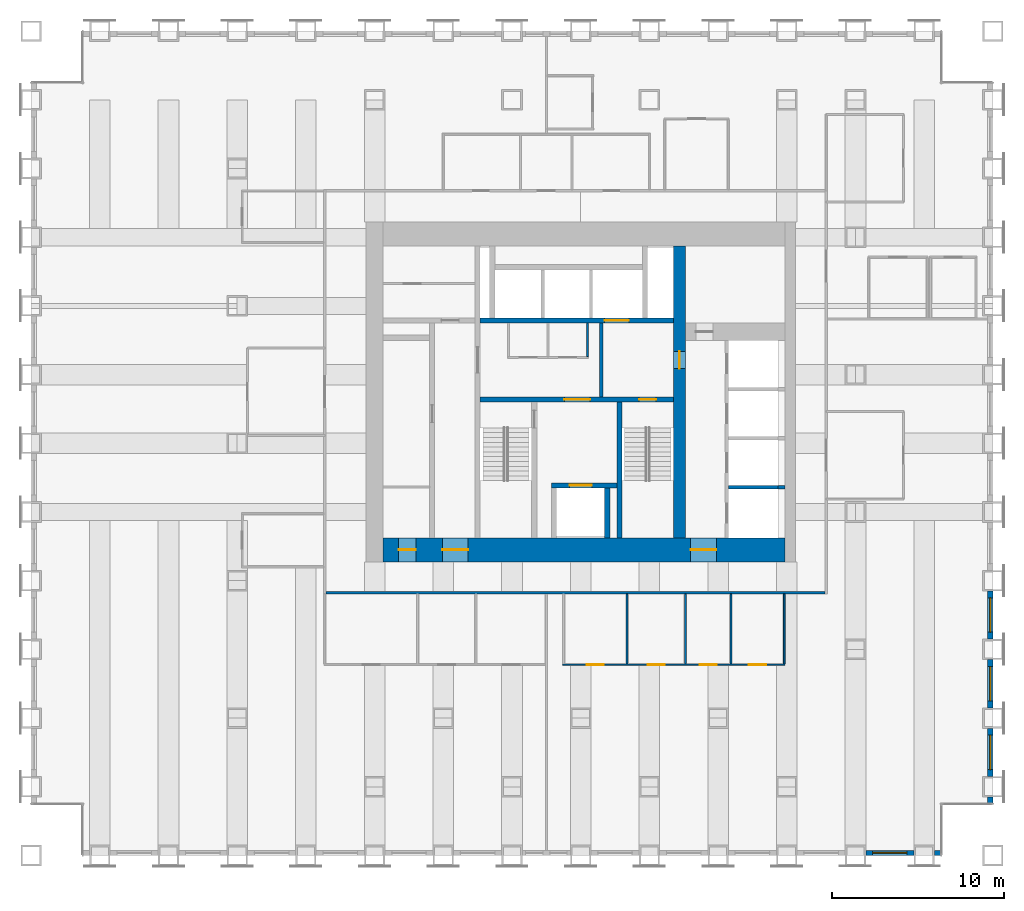
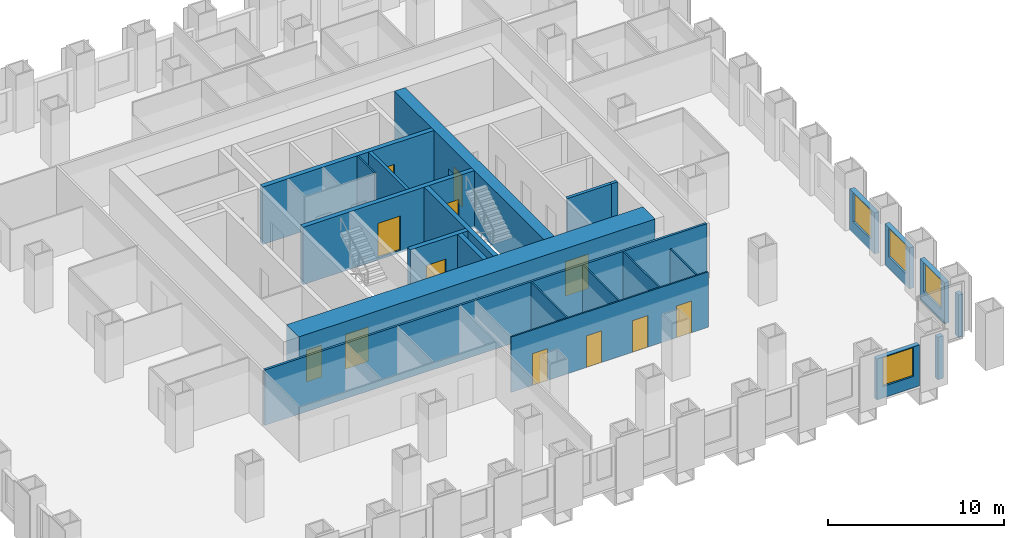
# One storey, part 9 of 14: 23 walls, 12 doors, 4 windows, 16 openings.
"""IFC4 building model written with IfcOpenShell, lengths in metres."""

from ifc_helpers import new_model, si_unit, direction, frame, frame_2d, origin, place, context, subcontext, project, spatial, rectangle, extrude, material, layer, layer_set, type_object, element, fill, save


model = new_model("IFC4")

# Units and contexts
model_context = context("Model", 3, precision=1e-05, world=origin(), true_north=direction((0.0, 1.0)))
body_context = subcontext(model_context, "Body", "Model", "MODEL_VIEW")
ifc_project = project(units=[si_unit("LENGTHUNIT", "METRE"), si_unit("AREAUNIT", "SQUARE_METRE"), si_unit("VOLUMEUNIT", "CUBIC_METRE"), si_unit("PLANEANGLEUNIT", "RADIAN"), si_unit("MASSUNIT", "GRAM", prefix="KILO")], contexts=[model_context])

# Site, building, storey
site_placement = place(None, origin())
site = spatial("IfcSite", under=ifc_project, at=site_placement, CompositionType="ELEMENT")
building_placement = place(site_placement, origin())
building = spatial("IfcBuilding", under=site, at=building_placement, Name="Rimbunsela Tower", CompositionType="ELEMENT")
storey_placement = place(building_placement, frame((0.0, 0.0, 47.0)))
storey = spatial("IfcBuildingStorey", under=building, at=storey_placement, Name="L11", CompositionType="ELEMENT", Elevation=47.0)

# Wall, openings, doors
ifc_material_1 = material(Name="Concrete fc' 80 MPa", Category="concrete")
ifc_layer_1 = layer(ifc_material_1, 0.300048828125)
ifc_layer_set_1 = layer_set([ifc_layer_1], Name="Core internal wall 300")
wall_type_1 = type_object("IfcWallType", Name="Core internal wall 300", PredefinedType="SHEAR", material=ifc_layer_set_1)
wall_1_placement = place(storey_placement, frame((24.14990234375, 26.550048828125, -0.14990234375), z_axis=(0.0, 0.0, 1.0), x_axis=(1.0, 0.0, 0.0)))
wall_1 = element("IfcWall", 1, at=wall_1_placement, inside=storey, type_object=wall_type_1, Name="Core wall lobby south", PredefinedType="SHEAR", context=body_context, shape_type="SweptSolid", body=[
    extrude(rectangle(XDim=11.25, YDim=0.300048828125, at=frame_2d((5.625, 0.0))), origin(), (0.0, 0.0, 1.0), 4.0),
])
opening_1_placement = place(wall_1_placement, frame((9.25, 0.0, 0.14990234375)))
opening_1 = element("IfcOpeningElement", 2, at=opening_1_placement, cuts=wall_1, Name="Opening D01", PredefinedType="OPENING", context=body_context, shape_type="SweptSolid", body=[
    extrude(rectangle(XDim=1.0, YDim=2.199951171875, at=frame_2d((0.5, 1.10009765625))), frame((0.0, 0.159912109375, 0.0), z_axis=(0.0, -1.0, 0.0), x_axis=(1.0, 0.0, 0.0)), (0.0, 0.0, 1.0), 0.320068359375),
])
opening_2_placement = place(wall_1_placement, frame((4.89990234375, 0.0, 0.14990234375)))
opening_2 = element("IfcOpeningElement", 3, at=opening_2_placement, cuts=wall_1, Name="Opening D03", PredefinedType="OPENING", context=body_context, shape_type="SweptSolid", body=[
    extrude(rectangle(XDim=1.5, YDim=2.39990234375, at=frame_2d((0.75, 1.199951171875))), frame((0.0, 0.159912109375, 0.0), z_axis=(0.0, -1.0, 0.0), x_axis=(1.0, 0.0, 0.0)), (0.0, 0.0, 1.0), 0.320068359375),
])
ifc_material_2 = material(Name="Steel door, fire rated", Category="steel")
door_type_1 = type_object("IfcDoorType", Name="Core lobby door 1500", OperationType="DOUBLE_DOOR_DOUBLE_SWING", PredefinedType="DOOR", material=ifc_material_2)
door_1_placement = place(opening_2_placement, origin())
door_1 = element("IfcDoor", 4, at=door_1_placement, inside=storey, type_object=door_type_1, Name="Firefighting lobby door", OperationType="DOUBLE_DOOR_DOUBLE_SWING", OverallHeight=2.39990234375, OverallWidth=1.5, PredefinedType="DOOR", context=body_context, shape_type="SweptSolid", body=[
    extrude(rectangle(XDim=1.5, YDim=2.39990234375, at=frame_2d((0.75, 1.199951171875))), frame((0.0, 0.02490234375, 0.0), z_axis=(0.0, -1.0, 0.0), x_axis=(1.0, 0.0, 0.0)), (0.0, 0.0, 1.0), 0.050048828125),
])
fill(opening_2, door_1)
ifc_material_3 = material(Name="Steel door, fire rated", Category="steel")
door_type_2 = type_object("IfcDoorType", Name="Stair door 1000", OperationType="SINGLE_SWING_RIGHT", PredefinedType="DOOR", material=ifc_material_3)
door_2_placement = place(opening_1_placement, frame((1.0, 0.0, 0.0), z_axis=(0.0, 0.0, 1.0), x_axis=(-1.0, 0.0, 0.0)))
door_2 = element("IfcDoor", 5, at=door_2_placement, inside=storey, type_object=door_type_2, Name="Stair B door", OperationType="SINGLE_SWING_RIGHT", OverallHeight=2.199951171875, OverallWidth=1.0, PredefinedType="DOOR", context=body_context, shape_type="SweptSolid", body=[
    extrude(rectangle(XDim=1.0, YDim=2.199951171875, at=frame_2d((0.5, 1.10009765625))), frame((0.0, 0.02490234375, 0.0), z_axis=(0.0, -1.0, 0.0), x_axis=(1.0, 0.0, 0.0)), (0.0, 0.0, 1.0), 0.050048828125),
])
fill(opening_1, door_2)

# Walls
wall_2_placement = place(storey_placement, frame((32.25, 18.5, -0.14990234375), z_axis=(0.0, 0.0, 1.0), x_axis=(0.0, 1.0, 0.0)))
element("IfcWall", 6, at=wall_2_placement, inside=storey, type_object=wall_type_1, Name="Stair B enclosure", PredefinedType="SHEAR", context=body_context, shape_type="SweptSolid", body=[
    extrude(rectangle(XDim=7.89990234375, YDim=0.300048828125, at=frame_2d((3.949951171875, 0.0))), origin(), (0.0, 0.0, 1.0), 4.0),
])
wall_3_placement = place(storey_placement, frame((31.550048828125, 18.5, -0.14990234375), z_axis=(0.0, 0.0, 1.0), x_axis=(0.0, 1.0, 0.0)))
element("IfcWall", 7, at=wall_3_placement, inside=storey, type_object=wall_type_1, Name="Firefighting lift shaft east", PredefinedType="SHEAR", context=body_context, shape_type="SweptSolid", body=[
    extrude(rectangle(XDim=2.89990234375, YDim=0.300048828125, at=frame_2d((1.449951171875, 0.0))), origin(), (0.0, 0.0, 1.0), 4.0),
])

# Wall, opening, door
wall_4_placement = place(storey_placement, frame((28.300048828125, 21.550048828125, -0.14990234375), z_axis=(0.0, 0.0, 1.0), x_axis=(1.0, 0.0, 0.0)))
wall_4 = element("IfcWall", 8, at=wall_4_placement, inside=storey, type_object=wall_type_1, Name="Firefighting lift shaft front", PredefinedType="SHEAR", context=body_context, shape_type="SweptSolid", body=[
    extrude(rectangle(XDim=3.800048828125, YDim=0.300048828125, at=frame_2d((1.89990234375, 0.0))), origin(), (0.0, 0.0, 1.0), 4.0),
])
opening_3_placement = place(wall_4_placement, frame((1.050048828125, 0.0, 0.14990234375)))
opening_3 = element("IfcOpeningElement", 9, at=opening_3_placement, cuts=wall_4, Name="Opening LD2", PredefinedType="OPENING", context=body_context, shape_type="SweptSolid", body=[
    extrude(rectangle(XDim=1.300048828125, YDim=2.39990234375, at=frame_2d((0.64990234375, 1.199951171875))), frame((0.0, 0.159912109375, 0.0), z_axis=(0.0, -1.0, 0.0), x_axis=(1.0, 0.0, 0.0)), (0.0, 0.0, 1.0), 0.320068359375),
])
ifc_material_4 = material(Name="Steel door, fire rated", Category="steel")
door_type_3 = type_object("IfcDoorType", Name="Lift landing door 1300", OperationType="DOUBLE_DOOR_SLIDING", PredefinedType="DOOR", material=ifc_material_4)
door_3_placement = place(opening_3_placement, origin())
door_3 = element("IfcDoor", 10, at=door_3_placement, inside=storey, type_object=door_type_3, Name="Lift landing door FL1", OperationType="DOUBLE_DOOR_SLIDING", OverallHeight=2.39990234375, OverallWidth=1.300048828125, PredefinedType="DOOR", context=body_context, shape_type="SweptSolid", body=[
    extrude(rectangle(XDim=1.300048828125, YDim=2.39990234375, at=frame_2d((0.64990234375, 1.199951171875))), frame((0.0, 0.02490234375, 0.0), z_axis=(0.0, -1.0, 0.0), x_axis=(1.0, 0.0, 0.0)), (0.0, 0.0, 1.0), 0.050048828125),
])
fill(opening_3, door_3)

wall_5_placement = place(storey_placement, frame((24.14990234375, 31.14990234375, -0.14990234375), z_axis=(0.0, 0.0, 1.0), x_axis=(1.0, 0.0, 0.0)))
wall_5 = element("IfcWall", 11, at=wall_5_placement, inside=storey, type_object=wall_type_1, Name="Lift shaft front north", PredefinedType="SHEAR", context=body_context, shape_type="SweptSolid", body=[
    extrude(rectangle(XDim=11.25, YDim=0.300048828125, at=frame_2d((5.625, 0.0))), origin(), (0.0, 0.0, 1.0), 4.0),
])
opening_4_placement = place(wall_5_placement, frame((7.25, 0.0, 0.14990234375)))
opening_4 = element("IfcOpeningElement", 12, at=opening_4_placement, cuts=wall_5, Name="Opening LD3", PredefinedType="OPENING", context=body_context, shape_type="SweptSolid", body=[
    extrude(rectangle(XDim=1.39990234375, YDim=2.39990234375, at=frame_2d((0.699951171875, 1.199951171875))), frame((0.0, 0.159912109375, 0.0), z_axis=(0.0, -1.0, 0.0), x_axis=(1.0, 0.0, 0.0)), (0.0, 0.0, 1.0), 0.320068359375),
])
ifc_material_5 = material(Name="Steel door, fire rated", Category="steel")
door_type_4 = type_object("IfcDoorType", Name="Lift landing door 1400", OperationType="DOUBLE_DOOR_SLIDING", PredefinedType="DOOR", material=ifc_material_5)
door_4_placement = place(opening_4_placement, origin())
door_4 = element("IfcDoor", 13, at=door_4_placement, inside=storey, type_object=door_type_4, Name="Lift landing door FL2", OperationType="DOUBLE_DOOR_SLIDING", OverallHeight=2.39990234375, OverallWidth=1.39990234375, PredefinedType="DOOR", context=body_context, shape_type="SweptSolid", body=[
    extrude(rectangle(XDim=1.39990234375, YDim=2.39990234375, at=frame_2d((0.699951171875, 1.199951171875))), frame((0.0, 0.02490234375, 0.0), z_axis=(0.0, -1.0, 0.0), x_axis=(1.0, 0.0, 0.0)), (0.0, 0.0, 1.0), 0.050048828125),
])
fill(opening_4, door_4)

# Wall
ifc_material_6 = material(Name="Concrete blockwork", Category="masonry")
ifc_layer_2 = layer(ifc_material_6, 0.10009765625)
ifc_layer_set_2 = layer_set([ifc_layer_2], Name="Core room partition 100")
wall_type_2 = type_object("IfcWallType", Name="Core room partition 100", PredefinedType="PARTITIONING", material=ifc_layer_set_2)
wall_6_placement = place(storey_placement, frame((30.39990234375, 29.050048828125, 0.0), z_axis=(0.0, 0.0, 1.0), x_axis=(0.0, 1.0, 0.0)))
element("IfcWall", 14, at=wall_6_placement, inside=storey, type_object=wall_type_2, Name="Lobby room wall", PredefinedType="PARTITIONING", context=body_context, shape_type="SweptSolid", body=[
    extrude(rectangle(XDim=1.949951171875, YDim=0.10009765625, at=frame_2d((0.97509765625, 0.0))), origin(), (0.0, 0.0, 1.0), 3.85009765625),
])

# Wall, openings, doors
ifc_material_7 = material(Name="Concrete fc' 80 MPa", Category="concrete")
ifc_layer_3 = layer(ifc_material_7, 1.39990234375)
ifc_layer_set_3 = layer_set([ifc_layer_3], Name="Core wall 1400")
wall_type_3 = type_object("IfcWallType", Name="Core wall 1400", PredefinedType="SHEAR", material=ifc_layer_set_3)
wall_7_placement = place(storey_placement, frame((18.5, 17.800048828125, -0.14990234375), z_axis=(0.0, 0.0, 1.0), x_axis=(1.0, 0.0, 0.0)))
wall_7 = element("IfcWall", 15, at=wall_7_placement, inside=storey, type_object=wall_type_3, Name="Core wall south", PredefinedType="SHEAR", context=body_context, shape_type="SweptSolid", body=[
    extrude(rectangle(XDim=23.39990234375, YDim=1.39990234375, at=frame_2d((11.699951171875, 0.0))), origin(), (0.0, 0.0, 1.0), 4.0),
])
opening_5_placement = place(wall_7_placement, frame((3.449951171875, 0.0, 0.14990234375)))
opening_5 = element("IfcOpeningElement", 16, at=opening_5_placement, cuts=wall_7, Name="Opening D03", PredefinedType="OPENING", context=body_context, shape_type="SweptSolid", body=[
    extrude(rectangle(XDim=1.5, YDim=2.39990234375, at=frame_2d((0.75, 1.199951171875))), frame((0.0, 0.7099609375, 0.0), z_axis=(0.0, -1.0, 0.0), x_axis=(1.0, 0.0, 0.0)), (0.0, 0.0, 1.0), 1.419921875),
])
opening_6_placement = place(wall_7_placement, frame((17.89990234375, 0.0, 0.14990234375)))
opening_6 = element("IfcOpeningElement", 17, at=opening_6_placement, cuts=wall_7, Name="Opening D03", PredefinedType="OPENING", context=body_context, shape_type="SweptSolid", body=[
    extrude(rectangle(XDim=1.5, YDim=2.39990234375, at=frame_2d((0.75, 1.199951171875))), frame((0.0, 0.7099609375, 0.0), z_axis=(0.0, -1.0, 0.0), x_axis=(1.0, 0.0, 0.0)), (0.0, 0.0, 1.0), 1.419921875),
])
opening_7_placement = place(wall_7_placement, frame((0.89990234375, 0.0, 0.14990234375)))
opening_7 = element("IfcOpeningElement", 18, at=opening_7_placement, cuts=wall_7, Name="Opening D19", PredefinedType="OPENING", context=body_context, shape_type="SweptSolid", body=[
    extrude(rectangle(XDim=1.0, YDim=2.199951171875, at=frame_2d((0.5, 1.10009765625))), frame((0.0, 0.7099609375, 0.0), z_axis=(0.0, -1.0, 0.0), x_axis=(1.0, 0.0, 0.0)), (0.0, 0.0, 1.0), 1.419921875),
])
door_5_placement = place(opening_5_placement, origin())
door_5 = element("IfcDoor", 19, at=door_5_placement, inside=storey, type_object=door_type_1, Name="Core door south", OperationType="DOUBLE_DOOR_DOUBLE_SWING", OverallHeight=2.39990234375, OverallWidth=1.5, PredefinedType="DOOR", context=body_context, shape_type="SweptSolid", body=[
    extrude(rectangle(XDim=1.5, YDim=2.39990234375, at=frame_2d((0.75, 1.199951171875))), frame((0.0, 0.02490234375, 0.0), z_axis=(0.0, -1.0, 0.0), x_axis=(1.0, 0.0, 0.0)), (0.0, 0.0, 1.0), 0.050048828125),
])
fill(opening_5, door_5)
door_6_placement = place(opening_6_placement, origin())
door_6 = element("IfcDoor", 20, at=door_6_placement, inside=storey, type_object=door_type_1, Name="Core door south-east", OperationType="DOUBLE_DOOR_DOUBLE_SWING", OverallHeight=2.39990234375, OverallWidth=1.5, PredefinedType="DOOR", context=body_context, shape_type="SweptSolid", body=[
    extrude(rectangle(XDim=1.5, YDim=2.39990234375, at=frame_2d((0.75, 1.199951171875))), frame((0.0, 0.02490234375, 0.0), z_axis=(0.0, -1.0, 0.0), x_axis=(1.0, 0.0, 0.0)), (0.0, 0.0, 1.0), 0.050048828125),
])
fill(opening_6, door_6)
ifc_material_8 = material(Name="Steel door, fire rated", Category="steel")
door_type_5 = type_object("IfcDoorType", Name="Service door 1000 fire rated", OperationType="SINGLE_SWING_LEFT", PredefinedType="DOOR", material=ifc_material_8)
door_7_placement = place(opening_7_placement, origin())
door_7 = element("IfcDoor", 21, at=door_7_placement, inside=storey, type_object=door_type_5, Name="Electrical room door", OperationType="SINGLE_SWING_LEFT", OverallHeight=2.199951171875, OverallWidth=1.0, PredefinedType="DOOR", context=body_context, shape_type="SweptSolid", body=[
    extrude(rectangle(XDim=1.0, YDim=2.199951171875, at=frame_2d((0.5, 1.10009765625))), frame((0.0, 0.02490234375, 0.0), z_axis=(0.0, -1.0, 0.0), x_axis=(1.0, 0.0, 0.0)), (0.0, 0.0, 1.0), 0.050048828125),
])
fill(opening_7, door_7)

# Wall, opening, door
ifc_material_9 = material(Name="Concrete fc' 80 MPa", Category="concrete")
ifc_layer_4 = layer(ifc_material_9, 0.699951171875)
ifc_layer_set_4 = layer_set([ifc_layer_4], Name="Core wall 700 east")
wall_type_4 = type_object("IfcWallType", Name="Core wall 700 east", PredefinedType="SHEAR", material=ifc_layer_set_4)
wall_8_placement = place(storey_placement, frame((35.75, 18.5, -0.14990234375), z_axis=(0.0, 0.0, 1.0), x_axis=(0.0, 1.0, 0.0)))
wall_8 = element("IfcWall", 22, at=wall_8_placement, inside=storey, type_object=wall_type_4, Name="Core wall low-rise bank", PredefinedType="SHEAR", context=body_context, shape_type="SweptSolid", body=[
    extrude(rectangle(XDim=17.0, YDim=0.699951171875, at=frame_2d((8.5, 0.0))), origin(), (0.0, 0.0, 1.0), 4.0),
])
opening_8_placement = place(wall_8_placement, frame((9.85009765625, 0.0, 0.14990234375)))
opening_8 = element("IfcOpeningElement", 23, at=opening_8_placement, cuts=wall_8, Name="Opening D01", PredefinedType="OPENING", context=body_context, shape_type="SweptSolid", body=[
    extrude(rectangle(XDim=1.0, YDim=2.199951171875, at=frame_2d((0.5, 1.10009765625))), frame((0.0, 0.35986328125, 0.0), z_axis=(0.0, -1.0, 0.0), x_axis=(1.0, 0.0, 0.0)), (0.0, 0.0, 1.0), 0.719970703125),
])
door_8_placement = place(opening_8_placement, origin())
door_8 = element("IfcDoor", 24, at=door_8_placement, inside=storey, type_object=door_type_2, Name="Firefighting lobby 2 door", OperationType="SINGLE_SWING_RIGHT", OverallHeight=2.199951171875, OverallWidth=1.0, PredefinedType="DOOR", context=body_context, shape_type="SweptSolid", body=[
    extrude(rectangle(XDim=1.0, YDim=2.199951171875, at=frame_2d((0.5, 1.10009765625))), frame((0.0, 0.02490234375, 0.0), z_axis=(0.0, -1.0, 0.0), x_axis=(1.0, 0.0, 0.0)), (0.0, 0.0, 1.0), 0.050048828125),
])
fill(opening_8, door_8)

# Walls
ifc_material_10 = material(Name="Concrete blockwork", Category="masonry")
ifc_layer_5 = layer(ifc_material_10, 0.199951171875)
ifc_layer_set_5 = layer_set([ifc_layer_5], Name="Lift shaft wall 200")
wall_type_5 = type_object("IfcWallType", Name="Lift shaft wall 200", PredefinedType="SOLIDWALL", material=ifc_layer_set_5)
wall_9_placement = place(storey_placement, frame((38.60009765625, 21.449951171875, -0.14990234375), z_axis=(0.0, 0.0, 1.0), x_axis=(1.0, 0.0, 0.0)))
element("IfcWall", 25, at=wall_9_placement, inside=storey, type_object=wall_type_5, Name="Lift shaft separation", PredefinedType="SOLIDWALL", context=body_context, shape_type="SweptSolid", body=[
    extrude(rectangle(XDim=2.89990234375, YDim=0.199951171875, at=frame_2d((1.449951171875, 0.0))), origin(), (0.0, 0.0, 1.0), 4.0),
])
wall_10_placement = place(storey_placement, frame((41.5, 21.449951171875, -0.14990234375), z_axis=(0.0, 0.0, 1.0), x_axis=(1.0, 0.0, 0.0)))
element("IfcWall", 26, at=wall_10_placement, inside=storey, type_object=wall_type_5, Name="Lift shaft separation", PredefinedType="SOLIDWALL", context=body_context, shape_type="SweptSolid", body=[
    extrude(rectangle(XDim=0.39990234375, YDim=0.199951171875, at=frame_2d((0.199951171875, 0.0))), origin(), (0.0, 0.0, 1.0), 4.0),
])
wall_11_placement = place(storey_placement, frame((31.199951171875, 26.699951171875, 0.0), z_axis=(0.0, 0.0, 1.0), x_axis=(0.0, 1.0, 0.0)))
element("IfcWall", 27, at=wall_11_placement, inside=storey, type_object=wall_type_5, Name="Firefighting lobby 2 wall", PredefinedType="SOLIDWALL", context=body_context, shape_type="SweptSolid", body=[
    extrude(rectangle(XDim=4.300048828125, YDim=0.199951171875, at=frame_2d((2.14990234375, 0.0))), origin(), (0.0, 0.0, 1.0), 3.85009765625),
])

# Wall, openings, doors
ifc_material_11 = material(Name="Gypsum board on steel studs", Category="steel")
ifc_layer_6 = layer(ifc_material_11, 0.10009765625)
ifc_layer_set_6 = layer_set([ifc_layer_6], Name="Office partition 100")
wall_type_6 = type_object("IfcWallType", Name="Office partition 100", PredefinedType="PARTITIONING", material=ifc_layer_set_6)
wall_12_placement = place(storey_placement, frame((28.948974609375, 11.10009765625, 0.0), z_axis=(0.0, 0.0, 1.0), x_axis=(1.0, 0.0, 0.0)))
wall_12 = element("IfcWall", 28, at=wall_12_placement, inside=storey, type_object=wall_type_6, Name="Office partition", PredefinedType="PARTITIONING", context=body_context, shape_type="SweptSolid", body=[
    extrude(rectangle(XDim=12.949951171875, YDim=0.10009765625, at=frame_2d((6.47509765625, 0.0))), origin(), (0.0, 0.0, 1.0), 3.85009765625),
])
opening_9_placement = place(wall_12_placement, frame((1.39990234375, 0.0, 0.0)))
opening_9 = element("IfcOpeningElement", 29, at=opening_9_placement, cuts=wall_12, Name="Opening D17", PredefinedType="OPENING", context=body_context, shape_type="SweptSolid", body=[
    extrude(rectangle(XDim=1.0, YDim=2.199951171875, at=frame_2d((0.5, 1.10009765625))), frame((0.0, 0.06005859375, 0.0), z_axis=(0.0, -1.0, 0.0), x_axis=(1.0, 0.0, 0.0)), (0.0, 0.0, 1.0), 0.1201171875),
])
opening_10_placement = place(wall_12_placement, frame((4.949951171875, 0.0, 0.0)))
opening_10 = element("IfcOpeningElement", 30, at=opening_10_placement, cuts=wall_12, Name="Opening D16", PredefinedType="OPENING", context=body_context, shape_type="SweptSolid", body=[
    extrude(rectangle(XDim=1.0, YDim=2.199951171875, at=frame_2d((0.5, 1.10009765625))), frame((0.0, 0.06005859375, 0.0), z_axis=(0.0, -1.0, 0.0), x_axis=(1.0, 0.0, 0.0)), (0.0, 0.0, 1.0), 0.1201171875),
])
opening_11_placement = place(wall_12_placement, frame((7.97509765625, 0.0, 0.0)))
opening_11 = element("IfcOpeningElement", 31, at=opening_11_placement, cuts=wall_12, Name="Opening D16", PredefinedType="OPENING", context=body_context, shape_type="SweptSolid", body=[
    extrude(rectangle(XDim=1.0, YDim=2.199951171875, at=frame_2d((0.5, 1.10009765625))), frame((0.0, 0.06005859375, 0.0), z_axis=(0.0, -1.0, 0.0), x_axis=(1.0, 0.0, 0.0)), (0.0, 0.0, 1.0), 0.1201171875),
])
opening_12_placement = place(wall_12_placement, frame((10.85009765625, 0.0, 0.0)))
opening_12 = element("IfcOpeningElement", 32, at=opening_12_placement, cuts=wall_12, Name="Opening D16", PredefinedType="OPENING", context=body_context, shape_type="SweptSolid", body=[
    extrude(rectangle(XDim=1.0, YDim=2.199951171875, at=frame_2d((0.5, 1.10009765625))), frame((0.0, 0.06005859375, 0.0), z_axis=(0.0, -1.0, 0.0), x_axis=(1.0, 0.0, 0.0)), (0.0, 0.0, 1.0), 0.1201171875),
])
ifc_material_12 = material(Name="Glazed aluminium door", Category="aluminium")
door_type_6 = type_object("IfcDoorType", Name="Meeting room door 1000 glazed", OperationType="SINGLE_SWING_RIGHT", PredefinedType="DOOR", material=ifc_material_12)
door_9_placement = place(opening_9_placement, origin())
door_9 = element("IfcDoor", 33, at=door_9_placement, inside=storey, type_object=door_type_6, Name="Meeting room door", OperationType="SINGLE_SWING_RIGHT", OverallHeight=2.199951171875, OverallWidth=1.0, PredefinedType="DOOR", context=body_context, shape_type="SweptSolid", body=[
    extrude(rectangle(XDim=1.0, YDim=2.199951171875, at=frame_2d((0.5, 1.10009765625))), frame((0.0, 0.02490234375, 0.0), z_axis=(0.0, -1.0, 0.0), x_axis=(1.0, 0.0, 0.0)), (0.0, 0.0, 1.0), 0.050048828125),
])
fill(opening_9, door_9)
ifc_material_13 = material(Name="Timber door", Category="wood")
door_type_7 = type_object("IfcDoorType", Name="Office door 1000", OperationType="SINGLE_SWING_LEFT", PredefinedType="DOOR", material=ifc_material_13)
door_10_placement = place(opening_10_placement, origin())
door_10 = element("IfcDoor", 34, at=door_10_placement, inside=storey, type_object=door_type_7, Name="Office door", OperationType="SINGLE_SWING_LEFT", OverallHeight=2.199951171875, OverallWidth=1.0, PredefinedType="DOOR", context=body_context, shape_type="SweptSolid", body=[
    extrude(rectangle(XDim=1.0, YDim=2.199951171875, at=frame_2d((0.5, 1.10009765625))), frame((0.0, 0.02490234375, 0.0), z_axis=(0.0, -1.0, 0.0), x_axis=(1.0, 0.0, 0.0)), (0.0, 0.0, 1.0), 0.050048828125),
])
fill(opening_10, door_10)
door_11_placement = place(opening_11_placement, origin())
door_11 = element("IfcDoor", 35, at=door_11_placement, inside=storey, type_object=door_type_7, Name="Office door", OperationType="SINGLE_SWING_LEFT", OverallHeight=2.199951171875, OverallWidth=1.0, PredefinedType="DOOR", context=body_context, shape_type="SweptSolid", body=[
    extrude(rectangle(XDim=1.0, YDim=2.199951171875, at=frame_2d((0.5, 1.10009765625))), frame((0.0, 0.02490234375, 0.0), z_axis=(0.0, -1.0, 0.0), x_axis=(1.0, 0.0, 0.0)), (0.0, 0.0, 1.0), 0.050048828125),
])
fill(opening_11, door_11)
door_12_placement = place(opening_12_placement, origin())
door_12 = element("IfcDoor", 36, at=door_12_placement, inside=storey, type_object=door_type_7, Name="Office door", OperationType="SINGLE_SWING_LEFT", OverallHeight=2.199951171875, OverallWidth=1.0, PredefinedType="DOOR", context=body_context, shape_type="SweptSolid", body=[
    extrude(rectangle(XDim=1.0, YDim=2.199951171875, at=frame_2d((0.5, 1.10009765625))), frame((0.0, 0.02490234375, 0.0), z_axis=(0.0, -1.0, 0.0), x_axis=(1.0, 0.0, 0.0)), (0.0, 0.0, 1.0), 0.050048828125),
])
fill(opening_12, door_12)

# Walls
for number, where, z_axis, x_axis, name in (
    (37, (32.698974609375, 11.14990234375, 0.0), (0.0, 0.0, 1.0), (0.0, 1.0, 0.0), "Office partition"),
    (38, (36.09912109375, 11.14990234375, 0.0), (0.0, 0.0, 1.0), (0.0, 1.0, 0.0), "Office partition"),
    (39, (38.7490234375, 11.14990234375, 0.0), (0.0, 0.0, 1.0), (0.0, 1.0, 0.0), "Office partition"),
):
    element("IfcWall", number, at=place(storey_placement, frame(where, z_axis=z_axis, x_axis=x_axis)), inside=storey, type_object=wall_type_6, Name=name, PredefinedType="PARTITIONING", context=body_context, shape_type="SweptSolid", body=[
        extrude(rectangle(XDim=4.0751953125, YDim=0.10009765625, at=frame_2d((2.03759765625, 0.0))), origin(), (0.0, 0.0, 1.0), 3.85009765625),
    ])
wall_13_placement = place(storey_placement, frame((41.84912109375, 11.14990234375, 0.0), z_axis=(0.0, 0.0, 1.0), x_axis=(0.0, 1.0, 0.0)))
element("IfcWall", 40, at=wall_13_placement, inside=storey, type_object=wall_type_6, Name="Office partition", PredefinedType="PARTITIONING", context=body_context, shape_type="SweptSolid", body=[
    extrude(rectangle(XDim=4.0751953125, YDim=0.10009765625, at=frame_2d((2.03759765625, 0.0))), origin(), (0.0, 0.0, 1.0), 2.949951171875),
])

# Wall, opening, window
ifc_material_14 = material(Name="Precast concrete fc' 35 MPa", Category="concrete")
ifc_layer_7 = layer(ifc_material_14, 0.300048828125)
ifc_layer_set_7 = layer_set([ifc_layer_7], Name="Precast concrete fc' 35 MPa")
wall_type_7 = type_object("IfcWallType", Name="Precast facade panel 300", PredefinedType="ELEMENTEDWALL", material=ifc_layer_set_7)
wall_14_placement = place(storey_placement, frame((46.60009765625, 0.14990234375, 0.0), z_axis=(0.0, 0.0, 1.0), x_axis=(1.0, 0.0, 0.0)))
wall_14 = element("IfcWall", 41, at=wall_14_placement, inside=storey, type_object=wall_type_7, Name="Facade panel S L11", PredefinedType="ELEMENTEDWALL", context=body_context, shape_type="SweptSolid", body=[
    extrude(rectangle(XDim=2.7998046875, YDim=0.300048828125, at=frame_2d((1.39990234375, 0.0))), origin(), (0.0, 0.0, 1.0), 2.85009765625),
])
opening_13_placement = place(wall_14_placement, frame((0.39990234375, 0.0, 0.800048828125)))
opening_13 = element("IfcOpeningElement", 42, at=opening_13_placement, cuts=wall_14, Name="Opening W1", PredefinedType="OPENING", context=body_context, shape_type="SweptSolid", body=[
    extrude(rectangle(XDim=2.0, YDim=2.0, at=frame_2d((1.0, 1.0))), frame((0.0, 0.159912109375, 0.0), z_axis=(0.0, -1.0, 0.0), x_axis=(1.0, 0.0, 0.0)), (0.0, 0.0, 1.0), 0.320068359375),
])
ifc_material_15 = material(Name="Clear glass in aluminium frame", Category="aluminium")
window_type = type_object("IfcWindowType", Name="Window W1 2000x2000", PartitioningType="DOUBLE_PANEL_VERTICAL", PredefinedType="WINDOW", material=ifc_material_15)
window_1_placement = place(opening_13_placement, origin())
window_1 = element("IfcWindow", 43, at=window_1_placement, inside=storey, type_object=window_type, Name="Window L11", OverallHeight=2.0, OverallWidth=2.0, PartitioningType="SINGLE_PANEL", PredefinedType="WINDOW", context=body_context, shape_type="SweptSolid", body=[
    extrude(rectangle(XDim=2.0, YDim=2.0, at=frame_2d((1.0, 1.0))), frame((0.0, 0.030029296875, 0.0), z_axis=(0.0, -1.0, 0.0), x_axis=(1.0, 0.0, 0.0)), (0.0, 0.0, 1.0), 0.06005859375),
])
fill(opening_13, window_1)

# Walls
for number, where, z_axis, x_axis, name in (
    (44, (50.60009765625, 0.14990234375, 0.0), (0.0, 0.0, 1.0), (1.0, 0.0, 0.0), "Facade panel S L11"),
    (45, (53.85009765625, 3.030029296875, 0.0), (0.0, 0.0, 1.0), (0.0, 1.0, 0.0), "Facade panel E L11"),
):
    element("IfcWall", number, at=place(storey_placement, frame(where, z_axis=z_axis, x_axis=x_axis)), inside=storey, type_object=wall_type_7, Name=name, PredefinedType="ELEMENTEDWALL", context=body_context, shape_type="SweptSolid", body=[
        extrude(rectangle(XDim=0.369873046875, YDim=0.300048828125, at=frame_2d((0.18505859375, 0.0))), origin(), (0.0, 0.0, 1.0), 2.949951171875),
    ])

# Wall, opening, window
wall_15_placement = place(storey_placement, frame((53.85009765625, 4.60009765625, 0.0), z_axis=(0.0, 0.0, 1.0), x_axis=(0.0, 1.0, 0.0)))
wall_15 = element("IfcWall", 46, at=wall_15_placement, inside=storey, type_object=wall_type_7, Name="Facade panel E L11", PredefinedType="ELEMENTEDWALL", context=body_context, shape_type="SweptSolid", body=[
    extrude(rectangle(XDim=2.7998046875, YDim=0.300048828125, at=frame_2d((1.39990234375, 0.0))), origin(), (0.0, 0.0, 1.0), 2.85009765625),
])
opening_14_placement = place(wall_15_placement, frame((0.39990234375, 0.0, 0.800048828125)))
opening_14 = element("IfcOpeningElement", 47, at=opening_14_placement, cuts=wall_15, Name="Opening W1", PredefinedType="OPENING", context=body_context, shape_type="SweptSolid", body=[
    extrude(rectangle(XDim=2.0, YDim=2.0, at=frame_2d((1.0, 1.0))), frame((0.0, 0.159912109375, 0.0), z_axis=(0.0, -1.0, 0.0), x_axis=(1.0, 0.0, 0.0)), (0.0, 0.0, 1.0), 0.320068359375),
])
window_2_placement = place(opening_14_placement, origin())
window_2 = element("IfcWindow", 48, at=window_2_placement, inside=storey, type_object=window_type, Name="Window L11", OverallHeight=2.0, OverallWidth=2.0, PartitioningType="SINGLE_PANEL", PredefinedType="WINDOW", context=body_context, shape_type="SweptSolid", body=[
    extrude(rectangle(XDim=2.0, YDim=2.0, at=frame_2d((1.0, 1.0))), frame((0.0, 0.030029296875, 0.0), z_axis=(0.0, -1.0, 0.0), x_axis=(1.0, 0.0, 0.0)), (0.0, 0.0, 1.0), 0.06005859375),
])
fill(opening_14, window_2)

wall_16_placement = place(storey_placement, frame((53.85009765625, 8.60009765625, 0.0), z_axis=(0.0, 0.0, 1.0), x_axis=(0.0, 1.0, 0.0)))
wall_16 = element("IfcWall", 49, at=wall_16_placement, inside=storey, type_object=wall_type_7, Name="Facade panel E L11", PredefinedType="ELEMENTEDWALL", context=body_context, shape_type="SweptSolid", body=[
    extrude(rectangle(XDim=2.7998046875, YDim=0.300048828125, at=frame_2d((1.39990234375, 0.0))), origin(), (0.0, 0.0, 1.0), 2.85009765625),
])
opening_15_placement = place(wall_16_placement, frame((0.39990234375, 0.0, 0.800048828125)))
opening_15 = element("IfcOpeningElement", 50, at=opening_15_placement, cuts=wall_16, Name="Opening W1", PredefinedType="OPENING", context=body_context, shape_type="SweptSolid", body=[
    extrude(rectangle(XDim=2.0, YDim=2.0, at=frame_2d((1.0, 1.0))), frame((0.0, 0.159912109375, 0.0), z_axis=(0.0, -1.0, 0.0), x_axis=(1.0, 0.0, 0.0)), (0.0, 0.0, 1.0), 0.320068359375),
])
window_3_placement = place(opening_15_placement, origin())
window_3 = element("IfcWindow", 51, at=window_3_placement, inside=storey, type_object=window_type, Name="Window L11", OverallHeight=2.0, OverallWidth=2.0, PartitioningType="SINGLE_PANEL", PredefinedType="WINDOW", context=body_context, shape_type="SweptSolid", body=[
    extrude(rectangle(XDim=2.0, YDim=2.0, at=frame_2d((1.0, 1.0))), frame((0.0, 0.030029296875, 0.0), z_axis=(0.0, -1.0, 0.0), x_axis=(1.0, 0.0, 0.0)), (0.0, 0.0, 1.0), 0.06005859375),
])
fill(opening_15, window_3)

wall_17_placement = place(storey_placement, frame((53.85009765625, 12.60009765625, 0.0), z_axis=(0.0, 0.0, 1.0), x_axis=(0.0, 1.0, 0.0)))
wall_17 = element("IfcWall", 52, at=wall_17_placement, inside=storey, type_object=wall_type_7, Name="Facade panel E L11", PredefinedType="ELEMENTEDWALL", context=body_context, shape_type="SweptSolid", body=[
    extrude(rectangle(XDim=2.7998046875, YDim=0.300048828125, at=frame_2d((1.39990234375, 0.0))), origin(), (0.0, 0.0, 1.0), 2.85009765625),
])
opening_16_placement = place(wall_17_placement, frame((0.39990234375, 0.0, 0.800048828125)))
opening_16 = element("IfcOpeningElement", 53, at=opening_16_placement, cuts=wall_17, Name="Opening W1", PredefinedType="OPENING", context=body_context, shape_type="SweptSolid", body=[
    extrude(rectangle(XDim=2.0, YDim=2.0, at=frame_2d((1.0, 1.0))), frame((0.0, 0.159912109375, 0.0), z_axis=(0.0, -1.0, 0.0), x_axis=(1.0, 0.0, 0.0)), (0.0, 0.0, 1.0), 0.320068359375),
])
window_4_placement = place(opening_16_placement, origin())
window_4 = element("IfcWindow", 54, at=window_4_placement, inside=storey, type_object=window_type, Name="Window L11", OverallHeight=2.0, OverallWidth=2.0, PartitioningType="SINGLE_PANEL", PredefinedType="WINDOW", context=body_context, shape_type="SweptSolid", body=[
    extrude(rectangle(XDim=2.0, YDim=2.0, at=frame_2d((1.0, 1.0))), frame((0.0, 0.030029296875, 0.0), z_axis=(0.0, -1.0, 0.0), x_axis=(1.0, 0.0, 0.0)), (0.0, 0.0, 1.0), 0.06005859375),
])
fill(opening_16, window_4)

# Wall
ifc_material_16 = material(Name="Fire-rated gypsum board on steel studs, EI 60", Category="steel")
ifc_layer_8 = layer(ifc_material_16, 0.14990234375)
ifc_layer_set_8 = layer_set([ifc_layer_8], Name="Rated corridor wall 150")
wall_type_8 = type_object("IfcWallType", Name="Rated corridor wall 150", PredefinedType="PARTITIONING", material=ifc_layer_set_8)
wall_18_placement = place(storey_placement, frame((15.175048828125, 15.300048828125, 0.0), z_axis=(0.0, 0.0, 1.0), x_axis=(1.0, 0.0, 0.0)))
element("IfcWall", 55, at=wall_18_placement, inside=storey, type_object=wall_type_8, Name="Corridor wall south", PredefinedType="PARTITIONING", context=body_context, shape_type="SweptSolid", body=[
    extrude(rectangle(XDim=29.050048828125, YDim=0.14990234375, at=frame_2d((14.52490234375, 0.0))), origin(), (0.0, 0.0, 1.0), 3.85009765625),
])

save(model, "model.ifc")
